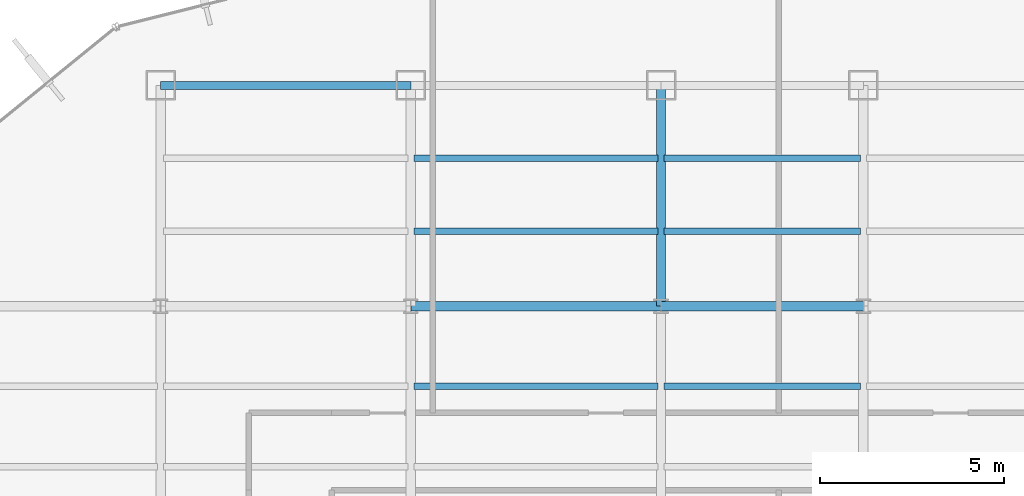
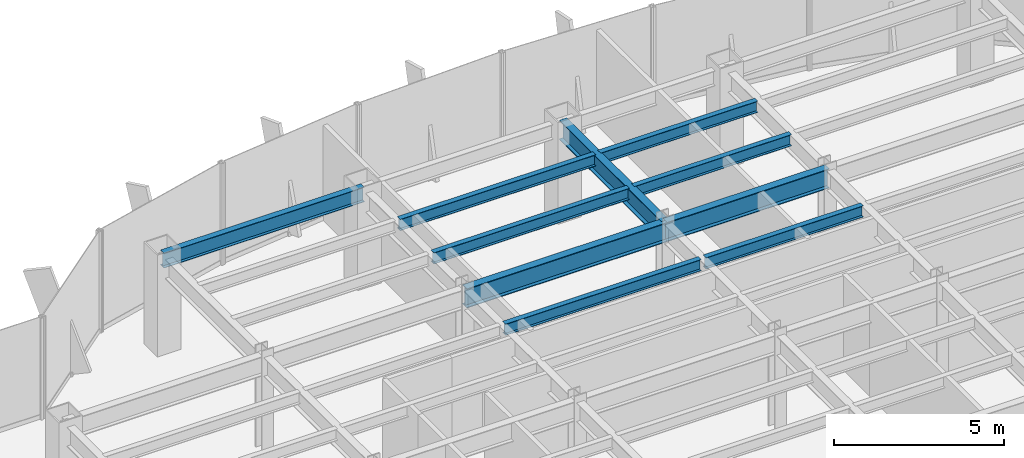
# One storey, part 15 of 26: 10 beams.
"""IFC4 building model written with IfcOpenShell, lengths in metres."""

import ifcopenshell
import ifcopenshell.guid

model = None  # the IFC model being written
_history = None  # IfcOwnerHistory: only IFC2X3 demands one
_inside = {}  # id of a spatial element -> (the spatial element, [elements in it])
_under = {}  # id of a project, library or spatial element -> (it, [spatial elements below it])
_declared = {}  # id of a project -> (the project, [libraries it declares])
_typed = {}  # id of a type object -> (the type object, [elements of that type])
_made_of = {}  # id of a material, layer set ... -> (it, [elements and type objects made of it])


def new_model(schema):
    """Start an empty IFC model of exactly this schema.

    Asked for "IFC4X3", IfcOpenShell would pick the latest addendum, in which some entities
    have other attributes; the version numbers below select the first issue.
    IFC2X3 requires an IfcOwnerHistory on every rooted entity: one is made here for all.
    """
    global model, _history
    if schema == "IFC4X3":
        model = ifcopenshell.file(schema_version=(4, 3, 0, 0))
    else:
        model = ifcopenshell.file(schema=schema)
    _inside.clear()
    _under.clear()
    _declared.clear()
    _typed.clear()
    _made_of.clear()
    _history = None
    if model.schema == "IFC2X3":
        org = make("IfcOrganization", Name="unknown")
        user = make(
            "IfcPersonAndOrganization",
            ThePerson=make("IfcPerson", FamilyName="unknown"),
            TheOrganization=org,
        )
        app = make(
            "IfcApplication",
            ApplicationDeveloper=org,
            Version="unknown",
            ApplicationFullName="unknown",
            ApplicationIdentifier="unknown",
        )
        _history = make(
            "IfcOwnerHistory",
            OwningUser=user,
            OwningApplication=app,
            ChangeAction="ADDED",
            CreationDate=0,
        )
    return model


def make(cls, **values):
    """One entity of the class cls with the attributes given. An attribute that is None is left unset."""
    return model.create_entity(
        cls, **{name: value for name, value in values.items() if value is not None}
    )


def rooted(cls, **values):
    """An entity with a GlobalId (a new one), such as an element, a storey or a relation."""
    return make(cls, GlobalId=ifcopenshell.guid.new(), OwnerHistory=_history, **values)


def si_unit(unit_type, name, prefix=None):
    """IfcSIUnit, for example si_unit("LENGTHUNIT", "METRE", prefix="MILLI")."""
    return make("IfcSIUnit", UnitType=unit_type, Prefix=prefix, Name=name)


def derived_unit(unit_type, elements):
    """IfcDerivedUnit: a product of units, each with its exponent."""
    return make(
        "IfcDerivedUnit",
        Elements=[
            make("IfcDerivedUnitElement", Unit=unit, Exponent=power)
            for unit, power in elements
        ],
        UnitType=unit_type,
    )


def assignment(units):
    """IfcUnitAssignment: the units of a project."""
    return None if units is None else make("IfcUnitAssignment", Units=units)


def point(xyz):
    """IfcCartesianPoint."""
    return None if xyz is None else make("IfcCartesianPoint", Coordinates=xyz)


def direction(xyz):
    """IfcDirection."""
    return None if xyz is None else make("IfcDirection", DirectionRatios=xyz)


def frame(location, z_axis=None, x_axis=None):
    """IfcAxis2Placement3D, a coordinate frame: its origin and axes. An axis left out is left unset."""
    return make(
        "IfcAxis2Placement3D",
        Location=point(location),
        Axis=direction(z_axis),
        RefDirection=direction(x_axis),
    )


def frame_2d(location, x_axis=None):
    """IfcAxis2Placement2D, a coordinate frame in the plane: its origin and x axis."""
    return make(
        "IfcAxis2Placement2D", Location=point(location), RefDirection=direction(x_axis)
    )


def origin():
    """The frame at (0, 0, 0) with its axes left unset."""
    return frame((0.0, 0.0, 0.0))


def origin_2d():
    """The frame at (0, 0) in the plane with its x axis left unset."""
    return frame_2d((0.0, 0.0))


def place(relative_to, where):
    """IfcLocalPlacement: puts the frame where relative to a parent placement (None: the world)."""
    return make(
        "IfcLocalPlacement", PlacementRelTo=relative_to, RelativePlacement=where
    )


def context(
    kind, dimensions, precision=None, world=None, true_north=None, identifier=None
):
    """IfcGeometricRepresentationContext, for example the 3D "Model" context."""
    return make(
        "IfcGeometricRepresentationContext",
        ContextIdentifier=identifier,
        ContextType=kind,
        CoordinateSpaceDimension=dimensions,
        Precision=precision,
        WorldCoordinateSystem=world,
        TrueNorth=true_north,
    )


def subcontext(parent, identifier, kind, view, scale=None):
    """IfcGeometricRepresentationSubContext, for example "Body" below "Model"."""
    return make(
        "IfcGeometricRepresentationSubContext",
        ContextIdentifier=identifier,
        ContextType=kind,
        ParentContext=parent,
        TargetScale=scale,
        TargetView=view,
    )


def project(units=None, contexts=None):
    """IfcProject with its units and contexts."""
    return rooted(
        "IfcProject",
        Name="project",
        RepresentationContexts=contexts,
        UnitsInContext=assignment(units),
    )


def spatial(cls, under=None, at=None, **own):
    """A site, building, storey or space (cls), placed at a placement, below another one or the project."""
    s = rooted(cls, ObjectPlacement=at, **own)
    if under is not None:
        _under.setdefault(under.id(), (under, []))[1].append(s)
    return s


def profile(cls, at=None, kind="AREA", **sizes):
    """A parametric profile (cls). Its sizes go by their IFC names, for example OverallWidth=200.0."""
    return make(cls, ProfileType=kind, Position=at, **sizes)


def i_section(**sizes):
    """IfcIShapeProfileDef."""
    return profile("IfcIShapeProfileDef", **sizes)


def extrude(swept, where, along, depth):
    """IfcExtrudedAreaSolid: the profile swept, set in the frame where, extruded along a direction by depth."""
    return make(
        "IfcExtrudedAreaSolid",
        SweptArea=swept,
        Position=where,
        ExtrudedDirection=direction(along),
        Depth=depth,
    )


def shape(context_of_items, identifier, shape_type, items):
    """IfcShapeRepresentation: the items that make up one representation, for example the "Body"."""
    return make(
        "IfcShapeRepresentation",
        ContextOfItems=context_of_items,
        RepresentationIdentifier=identifier,
        RepresentationType=shape_type,
        Items=items,
    )


def source(mapping_origin, context_of_items, identifier, shape_type, items):
    """IfcRepresentationMap: a shape defined once, which mapped items show again and again."""
    return make(
        "IfcRepresentationMap",
        MappingOrigin=mapping_origin,
        MappedRepresentation=shape(context_of_items, identifier, shape_type, items),
    )


def transform(
    local_origin,
    x_axis=None,
    y_axis=None,
    z_axis=None,
    scale=None,
    scale2=None,
    scale3=None,
    uniform=True,
):
    """IfcCartesianTransformationOperator3D, or its non-uniform kind. x_axis, y_axis, z_axis: its Axis1, 2, 3."""
    if uniform:
        return make(
            "IfcCartesianTransformationOperator3D",
            Axis1=direction(x_axis),
            Axis2=direction(y_axis),
            LocalOrigin=point(local_origin),
            Scale=scale,
            Axis3=direction(z_axis),
        )
    return make(
        "IfcCartesianTransformationOperator3DnonUniform",
        Axis1=direction(x_axis),
        Axis2=direction(y_axis),
        LocalOrigin=point(local_origin),
        Scale=scale,
        Axis3=direction(z_axis),
        Scale2=scale2,
        Scale3=scale3,
    )


def mapped(mapping_source, mapping_target):
    """IfcMappedItem: shows the shape of a source again, moved by a transform."""
    return make(
        "IfcMappedItem", MappingSource=mapping_source, MappingTarget=mapping_target
    )


def material(Name=None, Category=None):
    """IfcMaterial."""
    return make("IfcMaterial", Name=Name, Category=Category)


def material_profile(
    of_material, cross_section, Name=None, Category=None, Priority=None
):
    """IfcMaterialProfile: a cross section and its material."""
    return make(
        "IfcMaterialProfile",
        Name=Name,
        Material=of_material,
        Profile=cross_section,
        Priority=Priority,
        Category=Category,
    )


def profile_set(profiles, Name=None, composite=None):
    """IfcMaterialProfileSet."""
    return make(
        "IfcMaterialProfileSet",
        Name=Name,
        MaterialProfiles=profiles,
        CompositeProfile=composite,
    )


def made_of(thing, what):
    """Note that an element or type object is made of a material, layer set ...; save() writes the relation."""
    if what is not None:
        _made_of.setdefault(what.id(), (what, []))[1].append(thing)
    return thing


def type_object(cls, material=None, **own):
    """A type object (cls), such as IfcWallType, which elements share."""
    return made_of(rooted(cls, **own), material)


def element(
    cls,
    number,
    at=None,
    inside=None,
    cuts=None,
    type_object=None,
    material=None,
    context=None,
    identifier="Body",
    shape_type=None,
    held_by="IfcProductDefinitionShape",
    body=None,
    shapes=None,
    **own,
):
    """One element of the class cls, such as IfcWall. Its Tag is "e" and its number.

    at: its placement. inside: the storey or other place that contains it. cuts: it is an
    opening in that element (IfcRelVoidsElement). A single representation is given by context,
    identifier, shape_type and body (its items); several are given by shapes. held_by: the class
    of the entity that holds the representations. save() writes the other relations.
    """
    e = rooted(cls, Tag="e%d" % number, ObjectPlacement=at, **own)
    if body is not None:
        shapes = [shape(context, identifier, shape_type, body)]
    if shapes is not None:
        e.Representation = make(held_by, Representations=shapes)
    if inside is not None:
        _inside.setdefault(inside.id(), (inside, []))[1].append(e)
    if cuts is not None:
        rooted(
            "IfcRelVoidsElement", RelatingBuildingElement=cuts, RelatedOpeningElement=e
        )
    if type_object is not None:
        _typed.setdefault(type_object.id(), (type_object, []))[1].append(e)
    return made_of(e, material)


def aggregate(whole, parts):
    """IfcRelAggregates: a whole, such as a stair, and the parts it consists of."""
    return rooted("IfcRelAggregates", RelatingObject=whole, RelatedObjects=parts)


def save(model, path):
    """Write the relations noted so far, then the file.

    IfcRelAggregates (storeys below a building ...), IfcRelContainedInSpatialStructure (elements
    in a storey), IfcRelDefinesByType, IfcRelAssociatesMaterial and IfcRelDeclares: one each for
    every whole, place, type object, material and project.
    """
    for whole, parts in _under.values():
        aggregate(whole, parts)
    for where, things in _inside.values():
        rooted(
            "IfcRelContainedInSpatialStructure",
            RelatedElements=things,
            RelatingStructure=where,
        )
    for kind, things in _typed.values():
        rooted("IfcRelDefinesByType", RelatedObjects=things, RelatingType=kind)
    for what, things in _made_of.values():
        rooted("IfcRelAssociatesMaterial", RelatedObjects=things, RelatingMaterial=what)
    for by, libraries in _declared.values():
        rooted("IfcRelDeclares", RelatingContext=by, RelatedDefinitions=libraries)
    model.write(path)


model = new_model("IFC4")

# Units and contexts
model_context = context("Model", 3, precision=1e-05, world=origin(), true_north=direction((0.0, 1.0)))
body_context = subcontext(model_context, "Body", "Model", "MODEL_VIEW")
ifc_project = project(units=[si_unit("LENGTHUNIT", "METRE"), si_unit("AREAUNIT", "SQUARE_METRE"), si_unit("VOLUMEUNIT", "CUBIC_METRE"), si_unit("PLANEANGLEUNIT", "RADIAN"), si_unit("MASSUNIT", "GRAM", prefix="KILO"), derived_unit("THERMALTRANSMITTANCEUNIT", [(si_unit("POWERUNIT", "WATT"), 1), (si_unit("LENGTHUNIT", "METRE"), -2), (si_unit("THERMODYNAMICTEMPERATUREUNIT", "KELVIN"), -1)])], contexts=[model_context])

# Site, building, storey
site_placement = place(None, origin())
site = spatial("IfcSite", under=ifc_project, at=site_placement, CompositionType="ELEMENT")
building_placement = place(site_placement, origin())
building = spatial("IfcBuilding", under=site, at=building_placement, Name="Skarnbrae Concourse Arena and Tower", CompositionType="ELEMENT")
storey_placement = place(building_placement, frame((0.0, 0.0, 92.300048828125)))
storey = spatial("IfcBuildingStorey", under=building, at=storey_placement, Name="L22", CompositionType="ELEMENT", Elevation=92.300048828125)

# Beams
ifc_material = material(Name="Steel CSA G40.21 350W", Category="steel")
ifc_material_profile_1 = material_profile(ifc_material, i_section(OverallWidth=0.256103515625, OverallDepth=0.693115234375, WebThickness=0.014404296875, FlangeThickness=0.023681640625, at=origin_2d()), Name="W690X170")
ifc_profile_set_1 = profile_set([ifc_material_profile_1], Name="Steel CSA G40.21 350W")
beam_type_1 = type_object("IfcBeamType", Name="BM-GIRD-W690X170", PredefinedType="BEAM", material=ifc_profile_set_1)
shared_shape_1 = source(origin(), body_context, "Body", "SweptSolid", [
    extrude(i_section(OverallWidth=0.256103515625, OverallDepth=0.693115234375, WebThickness=0.014404296875, FlangeThickness=0.023681640625, at=origin_2d()), origin(), (0.0, 0.0, 1.0), 6.800048828125),
])
beam_1_placement = place(storey_placement, frame((21.199951171875, 34.39990234375, 3.053466796875), z_axis=(1.0, 0.0, 0.0), x_axis=(0.0, 1.0, 0.0)))
element("IfcBeam", 1, at=beam_1_placement, inside=storey, type_object=beam_type_1, Name="L22 Primary E-W girder Y34.4-3", PredefinedType="BEAM", context=body_context, shape_type="MappedRepresentation", body=[
    mapped(shared_shape_1, transform((0.0, 0.0, 0.0))),
])
shared_shape_2 = source(origin(), body_context, "Body", "SweptSolid", [
    extrude(i_section(OverallWidth=0.256103515625, OverallDepth=0.693115234375, WebThickness=0.014404296875, FlangeThickness=0.023681640625, at=origin_2d()), origin(), (0.0, 0.0, 1.0), 5.5),
])
beam_2_placement = place(storey_placement, frame((28.0, 34.39990234375, 3.053466796875), z_axis=(1.0, 0.0, 0.0), x_axis=(0.0, 1.0, 0.0)))
element("IfcBeam", 2, at=beam_2_placement, inside=storey, type_object=beam_type_1, Name="L22 Primary E-W girder Y34.4-4", PredefinedType="BEAM", context=body_context, shape_type="MappedRepresentation", body=[
    mapped(shared_shape_2, transform((0.0, 0.0, 0.0))),
])
ifc_material_profile_2 = material_profile(ifc_material, i_section(OverallWidth=0.208984375, OverallDepth=0.532958984375, WebThickness=0.01025390625, FlangeThickness=0.015625, at=origin_2d()), Name="W530X92")
ifc_profile_set_2 = profile_set([ifc_material_profile_2], Name="Steel CSA G40.21 350W")
beam_type_2 = type_object("IfcBeamType", Name="BM-SPAN-W530X92", PredefinedType="SPANDREL", material=ifc_profile_set_2)
shared_shape_3 = source(origin(), body_context, "Body", "SweptSolid", [
    extrude(i_section(OverallWidth=0.208984375, OverallDepth=0.532958984375, WebThickness=0.01025390625, FlangeThickness=0.015625, at=origin_2d()), origin(), (0.0, 0.0, 1.0), 6.800048828125),
])
beam_3_placement = place(storey_placement, frame((14.39990234375, 40.39990234375, 3.133544921875), z_axis=(1.0, 0.0, 0.0), x_axis=(0.0, 1.0, 0.0)))
element("IfcBeam", 3, at=beam_3_placement, inside=storey, type_object=beam_type_2, Name="L22 Perimeter spandrel Y40.4-1", PredefinedType="SPANDREL", context=body_context, shape_type="MappedRepresentation", body=[
    mapped(shared_shape_3, transform((0.0, 0.0, 0.0))),
])
shared_shape_4 = source(origin(), body_context, "Body", "SweptSolid", [
    extrude(i_section(OverallWidth=0.256103515625, OverallDepth=0.693115234375, WebThickness=0.014404296875, FlangeThickness=0.023681640625, at=origin_2d()), origin(), (0.0, 0.0, 1.0), 6.0),
])
beam_4_placement = place(storey_placement, frame((28.0, 34.39990234375, 3.053466796875), z_axis=(0.0, 1.0, 0.0), x_axis=(-1.0, 0.0, 0.0)))
element("IfcBeam", 4, at=beam_4_placement, inside=storey, type_object=beam_type_1, Name="L22 Primary N-S girder X28.0-4", PredefinedType="BEAM", context=body_context, shape_type="MappedRepresentation", body=[
    mapped(shared_shape_4, transform((0.0, 0.0, 0.0))),
])
ifc_material_profile_3 = material_profile(ifc_material, i_section(OverallWidth=0.177978515625, OverallDepth=0.406982421875, WebThickness=0.0078125, FlangeThickness=0.0126953125, at=origin_2d()), Name="W410X60")
ifc_profile_set_3 = profile_set([ifc_material_profile_3], Name="Steel CSA G40.21 350W")
beam_type_3 = type_object("IfcBeamType", Name="BM-JOIST-W410X60", PredefinedType="JOIST", material=ifc_profile_set_3)
shared_shape_5 = source(origin(), body_context, "Body", "SweptSolid", [
    extrude(i_section(OverallWidth=0.177978515625, OverallDepth=0.406982421875, WebThickness=0.0078125, FlangeThickness=0.0126953125, at=origin_2d()), origin(), (0.0, 0.0, 1.0), 6.639892578125),
])
for number, where, z_axis, x_axis, name in (
    (5, (21.280029296875, 32.221923828125, 3.196533203125), (1.0, 0.0, 0.0), (0.0, 1.0, 0.0), "L22 Secondary floor joist 3.2.3"),
    (6, (21.280029296875, 36.43994140625, 3.196533203125), (1.0, 0.0, 0.0), (0.0, 1.0, 0.0), "L22 Secondary floor joist 4.1.2"),
    (7, (21.280029296875, 38.419921875, 3.196533203125), (1.0, 0.0, 0.0), (0.0, 1.0, 0.0), "L22 Secondary floor joist 4.2.2"),
):
    element("IfcBeam", number, at=place(storey_placement, frame(where, z_axis=z_axis, x_axis=x_axis)), inside=storey, type_object=beam_type_3, Name=name, PredefinedType="JOIST", context=body_context, shape_type="MappedRepresentation", body=[
        mapped(shared_shape_5, transform((0.0, 0.0, 0.0))),
    ])
shared_shape_6 = source(origin(), body_context, "Body", "SweptSolid", [
    extrude(i_section(OverallWidth=0.177978515625, OverallDepth=0.406982421875, WebThickness=0.0078125, FlangeThickness=0.0126953125, at=origin_2d()), origin(), (0.0, 0.0, 1.0), 5.33984375),
])
for number, where, z_axis, x_axis, name in (
    (8, (28.080078125, 32.221923828125, 3.196533203125), (1.0, 0.0, 0.0), (0.0, 1.0, 0.0), "L22 Secondary floor joist 3.2.4"),
    (9, (28.080078125, 36.43994140625, 3.196533203125), (1.0, 0.0, 0.0), (0.0, 1.0, 0.0), "L22 Secondary floor joist 4.1.3"),
    (10, (28.080078125, 38.419921875, 3.196533203125), (1.0, 0.0, 0.0), (0.0, 1.0, 0.0), "L22 Secondary floor joist 4.2.3"),
):
    element("IfcBeam", number, at=place(storey_placement, frame(where, z_axis=z_axis, x_axis=x_axis)), inside=storey, type_object=beam_type_3, Name=name, PredefinedType="JOIST", context=body_context, shape_type="MappedRepresentation", body=[
        mapped(shared_shape_6, transform((0.0, 0.0, 0.0))),
    ])

save(model, "model.ifc")
